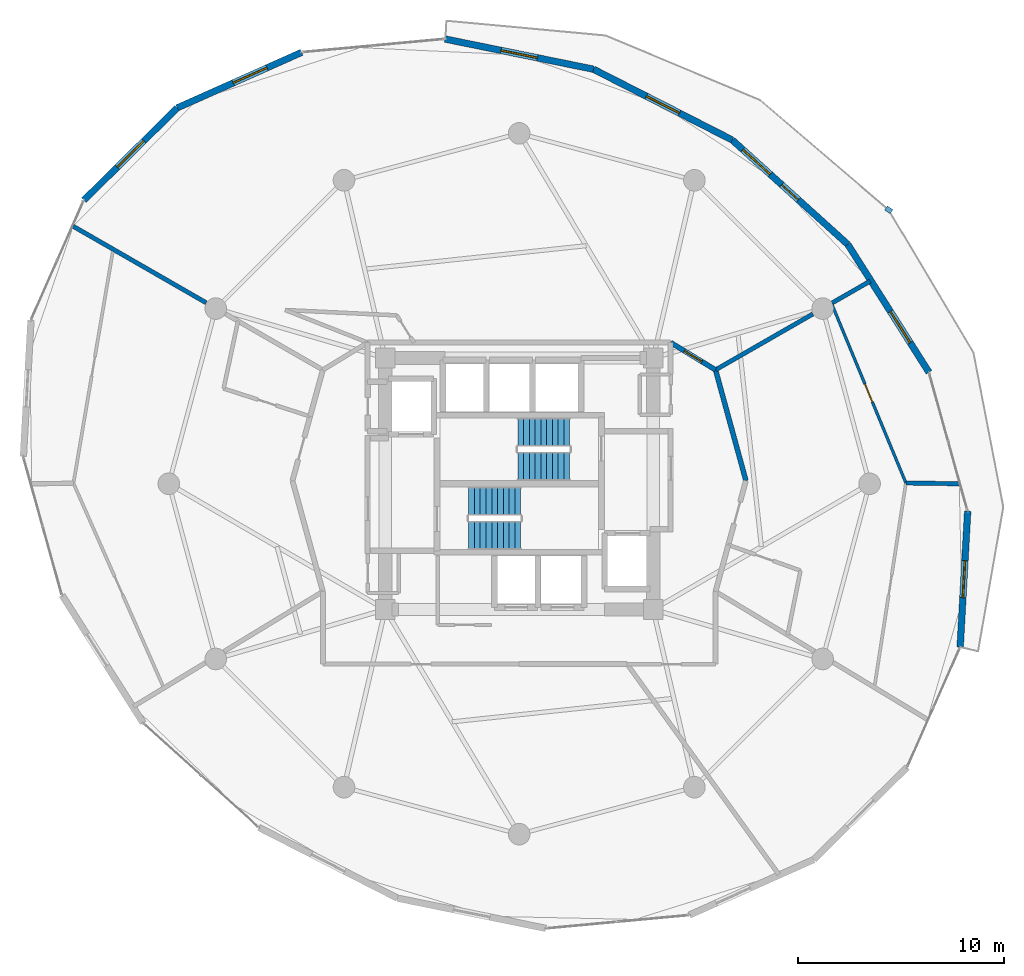
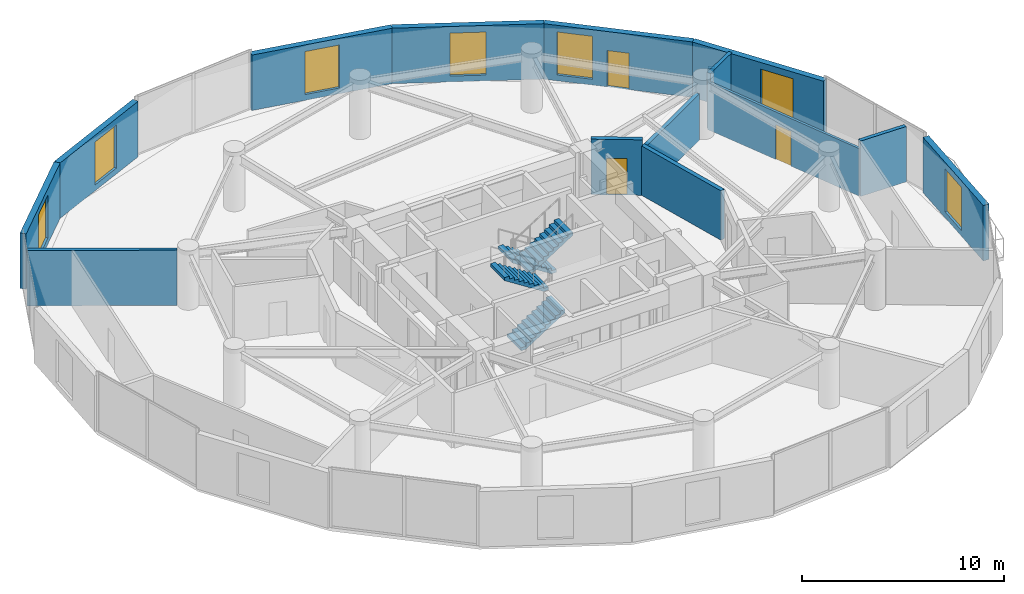
# One storey, part 22 of 25: 14 walls, 7 windows, 4 stair flights, 3 doors, 1 discrete accessory, 10 openings, 2 elements without a shape of their own.
"""IFC4 building model written with IfcOpenShell, lengths in metres."""

from ifc_helpers import new_model, si_unit, direction, frame, frame_2d, origin, origin_2d, place, context, subcontext, project, spatial, polyline, rectangle, outline, extrude, material, layer, layer_set, type_object, element, fill, aggregate, save


model = new_model("IFC4")

# Units and contexts
model_context = context("Model", 3, precision=1e-05, world=origin(), true_north=direction((0.0, 1.0)))
body_context = subcontext(model_context, "Body", "Model", "MODEL_VIEW")
ifc_project = project(units=[si_unit("LENGTHUNIT", "METRE"), si_unit("AREAUNIT", "SQUARE_METRE"), si_unit("VOLUMEUNIT", "CUBIC_METRE"), si_unit("PLANEANGLEUNIT", "RADIAN"), si_unit("MASSUNIT", "GRAM", prefix="KILO")], contexts=[model_context])

# Site, building, storey
site_placement = place(None, origin())
site = spatial("IfcSite", under=ifc_project, at=site_placement, CompositionType="ELEMENT")
building_placement = place(site_placement, origin())
building = spatial("IfcBuilding", under=site, at=building_placement, Name="Solvirekh Grand Hotel", CompositionType="ELEMENT")
storey_placement = place(building_placement, frame((0.0, 0.0, 117.0)))
storey = spatial("IfcBuildingStorey", under=building, at=storey_placement, Name="L29", CompositionType="ELEMENT", Elevation=117.0)

# Wall, opening, window
ifc_material_1 = material(Name="Precast concrete C45/55", Category="concrete")
ifc_layer_1 = layer(ifc_material_1, 0.320068359375)
ifc_layer_set_1 = layer_set([ifc_layer_1], Name="Precast concrete C45/55")
wall_type_1 = type_object("IfcWallType", Name="ExtLobbyWall_RC320", PredefinedType="SOLIDWALL", material=ifc_layer_set_1)
wall_1_placement = place(storey_placement, frame((21.759033203125, -1.326904296875, 0.0), z_axis=(0.0, 0.0, 1.0), x_axis=(-0.055339161213, -0.998467614516, 0.0)))
wall_1 = element("IfcWall", 1, at=wall_1_placement, inside=storey, type_object=wall_type_1, Name="L29 exterior structural wall chord 2", PredefinedType="SOLIDWALL", context=body_context, shape_type="SweptSolid", body=[
    extrude(rectangle(XDim=6.61328125, YDim=0.320068359375, at=frame_2d((3.306640625, 0.0))), origin(), (0.0, 0.0, 1.0), 3.35009765625),
])
opening_1_placement = place(wall_1_placement, frame((2.406982421875, 0.0, 0.35009765625)))
opening_1 = element("IfcOpeningElement", 2, at=opening_1_placement, cuts=wall_1, Name="Opening W02", PredefinedType="OPENING", context=body_context, shape_type="SweptSolid", body=[
    extrude(rectangle(XDim=1.800048828125, YDim=2.60009765625, at=frame_2d((0.89990234375, 1.300048828125))), frame((0.0, 0.169921875, 0.0), z_axis=(0.0, -1.0, 0.0), x_axis=(1.0, 0.0, 0.0)), (0.0, 0.0, 1.0), 0.340087890625),
])
ifc_material_2 = material(Name="Low-E Tinted Bronze Laminated Glass", Category="aluminium")
window_type = type_object("IfcWindowType", Name="Win_LobbyExt_1800X2600", PartitioningType="SINGLE_PANEL", PredefinedType="WINDOW", material=ifc_material_2)
window_1_placement = place(opening_1_placement, origin())
window_1 = element("IfcWindow", 3, at=window_1_placement, inside=storey, type_object=window_type, Name="L29 panoramic bronze-framed window 2", OverallHeight=2.60009765625, OverallWidth=1.800048828125, PartitioningType="SINGLE_PANEL", PredefinedType="WINDOW", context=body_context, shape_type="SweptSolid", body=[
    extrude(rectangle(XDim=1.800048828125, YDim=2.60009765625, at=frame_2d((0.89990234375, 1.300048828125))), frame((0.0, 0.030029296875, 0.0), z_axis=(0.0, -1.0, 0.0), x_axis=(1.0, 0.0, 0.0)), (0.0, 0.0, 1.0), 0.06005859375),
])
fill(opening_1, window_1)

wall_2_placement = place(storey_placement, frame((15.946044921875, 11.60888671875, 0.0), z_axis=(0.0, 0.0, 1.0), x_axis=(0.535784801187, -0.844354574108, 0.0)))
wall_2 = element("IfcWall", 4, at=wall_2_placement, inside=storey, type_object=wall_type_1, Name="L29 exterior structural wall chord 4", PredefinedType="SOLIDWALL", context=body_context, shape_type="SweptSolid", body=[
    extrude(rectangle(XDim=7.34619140625, YDim=0.320068359375, at=frame_2d((3.673095703125, 0.0))), origin(), (0.0, 0.0, 1.0), 3.35009765625),
])
opening_2_placement = place(wall_2_placement, frame((3.843994140625, 0.0, 0.35009765625)))
opening_2 = element("IfcOpeningElement", 5, at=opening_2_placement, cuts=wall_2, Name="Opening W02", PredefinedType="OPENING", context=body_context, shape_type="SweptSolid", body=[
    extrude(rectangle(XDim=1.800048828125, YDim=2.60009765625, at=frame_2d((0.89990234375, 1.300048828125))), frame((0.0, 0.169921875, 0.0), z_axis=(0.0, -1.0, 0.0), x_axis=(1.0, 0.0, 0.0)), (0.0, 0.0, 1.0), 0.340087890625),
])
window_2_placement = place(opening_2_placement, origin())
window_2 = element("IfcWindow", 6, at=window_2_placement, inside=storey, type_object=window_type, Name="L29 panoramic bronze-framed window 4", OverallHeight=2.60009765625, OverallWidth=1.800048828125, PartitioningType="SINGLE_PANEL", PredefinedType="WINDOW", context=body_context, shape_type="SweptSolid", body=[
    extrude(rectangle(XDim=1.800048828125, YDim=2.60009765625, at=frame_2d((0.89990234375, 1.300048828125))), frame((0.0, 0.030029296875, 0.0), z_axis=(0.0, -1.0, 0.0), x_axis=(1.0, 0.0, 0.0)), (0.0, 0.0, 1.0), 0.06005859375),
])
fill(opening_2, window_2)

# Wall, openings, door, window
wall_3_placement = place(storey_placement, frame((10.3369140625, 16.677001953125, 0.0), z_axis=(0.0, 0.0, 1.0), x_axis=(0.741983962176, -0.670417630939, 0.0)))
wall_3 = element("IfcWall", 7, at=wall_3_placement, inside=storey, type_object=wall_type_1, Name="L29 exterior structural wall chord 5", PredefinedType="SOLIDWALL", context=body_context, shape_type="SweptSolid", body=[
    extrude(rectangle(XDim=7.5595703125, YDim=0.320068359375, at=frame_2d((3.77978515625, 0.0))), origin(), (0.0, 0.0, 1.0), 3.35009765625),
])
opening_3_placement = place(wall_3_placement, frame((0.68994140625, 0.0, 0.35009765625)))
opening_3 = element("IfcOpeningElement", 8, at=opening_3_placement, cuts=wall_3, Name="Opening W02", PredefinedType="OPENING", context=body_context, shape_type="SweptSolid", body=[
    extrude(rectangle(XDim=1.800048828125, YDim=2.60009765625, at=frame_2d((0.89990234375, 1.300048828125))), frame((0.0, 0.169921875, 0.0), z_axis=(0.0, -1.0, 0.0), x_axis=(1.0, 0.0, 0.0)), (0.0, 0.0, 1.0), 0.340087890625),
])
opening_4_placement = place(wall_3_placement, frame((3.22998046875, 0.0, 0.0)))
opening_4 = element("IfcOpeningElement", 9, at=opening_4_placement, cuts=wall_3, Name="Opening D03", PredefinedType="OPENING", context=body_context, shape_type="SweptSolid", body=[
    extrude(rectangle(XDim=1.10009765625, YDim=2.199951171875, at=frame_2d((0.550048828125, 1.10009765625))), frame((0.0, 0.169921875, 0.0), z_axis=(0.0, -1.0, 0.0), x_axis=(1.0, 0.0, 0.0)), (0.0, 0.0, 1.0), 0.340087890625),
])
ifc_material_3 = material(Name="Anodized Bronze Aluminium 6063-T6", Category="aluminium")
door_type_1 = type_object("IfcDoorType", Name="Door_ExtBalcony_1100X2200", OperationType="NOTDEFINED", PredefinedType="DOOR", material=ifc_material_3)
door_1_placement = place(opening_4_placement, origin())
door_1 = element("IfcDoor", 10, at=door_1_placement, inside=storey, type_object=door_type_1, Name="L29 Crescent balcony glazed door (5)", OperationType="SINGLE_SWING_RIGHT", OverallHeight=2.199951171875, OverallWidth=1.10009765625, PredefinedType="DOOR", context=body_context, shape_type="SweptSolid", body=[
    extrude(rectangle(XDim=1.10009765625, YDim=2.199951171875, at=frame_2d((0.550048828125, 1.10009765625))), frame((0.0, 0.02490234375, 0.0), z_axis=(0.0, -1.0, 0.0), x_axis=(1.0, 0.0, 0.0)), (0.0, 0.0, 1.0), 0.050048828125),
])
fill(opening_4, door_1)
window_3_placement = place(opening_3_placement, origin())
window_3 = element("IfcWindow", 11, at=window_3_placement, inside=storey, type_object=window_type, Name="L29 exterior side window 5", OverallHeight=2.60009765625, OverallWidth=1.800048828125, PartitioningType="SINGLE_PANEL", PredefinedType="WINDOW", context=body_context, shape_type="SweptSolid", body=[
    extrude(rectangle(XDim=1.800048828125, YDim=2.60009765625, at=frame_2d((0.89990234375, 1.300048828125))), frame((0.0, 0.030029296875, 0.0), z_axis=(0.0, -1.0, 0.0), x_axis=(1.0, 0.0, 0.0)), (0.0, 0.0, 1.0), 0.06005859375),
])
fill(opening_3, window_3)

# Wall, opening, window
wall_4_placement = place(storey_placement, frame((3.60400390625, 20.111083984375, 0.0), z_axis=(0.0, 0.0, 1.0), x_axis=(0.890819506235, -0.454357356396, 0.0)))
wall_4 = element("IfcWall", 12, at=wall_4_placement, inside=storey, type_object=wall_type_1, Name="L29 exterior structural wall chord 6", PredefinedType="SOLIDWALL", context=body_context, shape_type="SweptSolid", body=[
    extrude(rectangle(XDim=7.55810546875, YDim=0.320068359375, at=frame_2d((3.779052734375, 0.0))), origin(), (0.0, 0.0, 1.0), 3.35009765625),
])
opening_5_placement = place(wall_4_placement, frame((2.87890625, 0.0, 0.35009765625)))
opening_5 = element("IfcOpeningElement", 13, at=opening_5_placement, cuts=wall_4, Name="Opening W02", PredefinedType="OPENING", context=body_context, shape_type="SweptSolid", body=[
    extrude(rectangle(XDim=1.800048828125, YDim=2.60009765625, at=frame_2d((0.89990234375, 1.300048828125))), frame((0.0, 0.169921875, 0.0), z_axis=(0.0, -1.0, 0.0), x_axis=(1.0, 0.0, 0.0)), (0.0, 0.0, 1.0), 0.340087890625),
])
window_4_placement = place(opening_5_placement, origin())
window_4 = element("IfcWindow", 14, at=window_4_placement, inside=storey, type_object=window_type, Name="L29 panoramic bronze-framed window 6", OverallHeight=2.60009765625, OverallWidth=1.800048828125, PartitioningType="SINGLE_PANEL", PredefinedType="WINDOW", context=body_context, shape_type="SweptSolid", body=[
    extrude(rectangle(XDim=1.800048828125, YDim=2.60009765625, at=frame_2d((0.89990234375, 1.300048828125))), frame((0.0, 0.030029296875, 0.0), z_axis=(0.0, -1.0, 0.0), x_axis=(1.0, 0.0, 0.0)), (0.0, 0.0, 1.0), 0.06005859375),
])
fill(opening_5, window_4)

wall_5_placement = place(storey_placement, frame((-3.594970703125, 21.576904296875, 0.0), z_axis=(0.0, 0.0, 1.0), x_axis=(0.979893516474, -0.199521167732, 0.0)))
wall_5 = element("IfcWall", 15, at=wall_5_placement, inside=storey, type_object=wall_type_1, Name="L29 exterior structural wall chord 7", PredefinedType="SOLIDWALL", context=body_context, shape_type="SweptSolid", body=[
    extrude(rectangle(XDim=7.3466796875, YDim=0.320068359375, at=frame_2d((3.67333984375, 0.0))), origin(), (0.0, 0.0, 1.0), 3.35009765625),
])
opening_6_placement = place(wall_5_placement, frame((2.77294921875, 0.0, 0.35009765625)))
opening_6 = element("IfcOpeningElement", 16, at=opening_6_placement, cuts=wall_5, Name="Opening W02", PredefinedType="OPENING", context=body_context, shape_type="SweptSolid", body=[
    extrude(rectangle(XDim=1.800048828125, YDim=2.60009765625, at=frame_2d((0.89990234375, 1.300048828125))), frame((0.0, 0.169921875, 0.0), z_axis=(0.0, -1.0, 0.0), x_axis=(1.0, 0.0, 0.0)), (0.0, 0.0, 1.0), 0.340087890625),
])
window_5_placement = place(opening_6_placement, origin())
window_5 = element("IfcWindow", 17, at=window_5_placement, inside=storey, type_object=window_type, Name="L29 panoramic bronze-framed window 7", OverallHeight=2.60009765625, OverallWidth=1.800048828125, PartitioningType="SINGLE_PANEL", PredefinedType="WINDOW", context=body_context, shape_type="SweptSolid", body=[
    extrude(rectangle(XDim=1.800048828125, YDim=2.60009765625, at=frame_2d((0.89990234375, 1.300048828125))), frame((0.0, 0.030029296875, 0.0), z_axis=(0.0, -1.0, 0.0), x_axis=(1.0, 0.0, 0.0)), (0.0, 0.0, 1.0), 0.06005859375),
])
fill(opening_6, window_5)

wall_6_placement = place(storey_placement, frame((-16.593017578125, 18.236083984375, 0.0), z_axis=(0.0, 0.0, 1.0), x_axis=(0.913180092106, 0.407556277562, 0.0)))
wall_6 = element("IfcWall", 18, at=wall_6_placement, inside=storey, type_object=wall_type_1, Name="L29 exterior structural wall chord 9", PredefinedType="SOLIDWALL", context=body_context, shape_type="SweptSolid", body=[
    extrude(rectangle(XDim=6.612060546875, YDim=0.320068359375, at=frame_2d((3.30615234375, 0.0))), origin(), (0.0, 0.0, 1.0), 3.35009765625),
])
opening_7_placement = place(wall_6_placement, frame((2.97607421875, 0.0, 0.35009765625)))
opening_7 = element("IfcOpeningElement", 19, at=opening_7_placement, cuts=wall_6, Name="Opening W02", PredefinedType="OPENING", context=body_context, shape_type="SweptSolid", body=[
    extrude(rectangle(XDim=1.800048828125, YDim=2.60009765625, at=frame_2d((0.89990234375, 1.300048828125))), frame((0.0, 0.169921875, 0.0), z_axis=(0.0, -1.0, 0.0), x_axis=(1.0, 0.0, 0.0)), (0.0, 0.0, 1.0), 0.340087890625),
])
window_6_placement = place(opening_7_placement, origin())
window_6 = element("IfcWindow", 20, at=window_6_placement, inside=storey, type_object=window_type, Name="L29 panoramic bronze-framed window 9", OverallHeight=2.60009765625, OverallWidth=1.800048828125, PartitioningType="SINGLE_PANEL", PredefinedType="WINDOW", context=body_context, shape_type="SweptSolid", body=[
    extrude(rectangle(XDim=1.800048828125, YDim=2.60009765625, at=frame_2d((0.89990234375, 1.300048828125))), frame((0.0, 0.030029296875, 0.0), z_axis=(0.0, -1.0, 0.0), x_axis=(1.0, 0.0, 0.0)), (0.0, 0.0, 1.0), 0.06005859375),
])
fill(opening_7, window_6)

wall_7_placement = place(storey_placement, frame((-21.12109375, 13.756103515625, 0.0), z_axis=(0.0, 0.0, 1.0), x_axis=(0.710872024536, 0.703321380829, 0.0)))
wall_7 = element("IfcWall", 21, at=wall_7_placement, inside=storey, type_object=wall_type_1, Name="L29 exterior structural wall chord 10", PredefinedType="SOLIDWALL", context=body_context, shape_type="SweptSolid", body=[
    extrude(rectangle(XDim=6.36962890625, YDim=0.320068359375, at=frame_2d((3.184814453125, 0.0))), origin(), (0.0, 0.0, 1.0), 3.35009765625),
])
opening_8_placement = place(wall_7_placement, frame((2.284912109375, 0.0, 0.35009765625)))
opening_8 = element("IfcOpeningElement", 22, at=opening_8_placement, cuts=wall_7, Name="Opening W02", PredefinedType="OPENING", context=body_context, shape_type="SweptSolid", body=[
    extrude(rectangle(XDim=1.800048828125, YDim=2.60009765625, at=frame_2d((0.89990234375, 1.300048828125))), frame((0.0, 0.169921875, 0.0), z_axis=(0.0, -1.0, 0.0), x_axis=(1.0, 0.0, 0.0)), (0.0, 0.0, 1.0), 0.340087890625),
])
window_7_placement = place(opening_8_placement, origin())
window_7 = element("IfcWindow", 23, at=window_7_placement, inside=storey, type_object=window_type, Name="L29 panoramic bronze-framed window 10", OverallHeight=2.60009765625, OverallWidth=1.800048828125, PartitioningType="SINGLE_PANEL", PredefinedType="WINDOW", context=body_context, shape_type="SweptSolid", body=[
    extrude(rectangle(XDim=1.800048828125, YDim=2.60009765625, at=frame_2d((0.89990234375, 1.300048828125))), frame((0.0, 0.030029296875, 0.0), z_axis=(0.0, -1.0, 0.0), x_axis=(1.0, 0.0, 0.0)), (0.0, 0.0, 1.0), 0.06005859375),
])
fill(opening_8, window_7)

# Wall, opening, door
ifc_material_4 = material(Name="Acoustic Gypsum Partition Assembly")
ifc_layer_2 = layer(ifc_material_4, 0.239990234375)
ifc_layer_set_2 = layer_set([ifc_layer_2], Name="Acoustic Gypsum Partition Assembly")
wall_type_2 = type_object("IfcWallType", Name="Part_Corridor_240", PredefinedType="PARTITIONING", material=ifc_layer_set_2)
wall_8_placement = place(storey_placement, frame((7.35009765625, 6.85009765625, 0.0), z_axis=(0.0, 0.0, 1.0), x_axis=(0.854057882133, -0.520177982969, 0.0)))
wall_8 = element("IfcWall", 24, at=wall_8_placement, inside=storey, type_object=wall_type_2, Name="L29 Panorama Suite 3101 entrance wall", PredefinedType="PARTITIONING", context=body_context, shape_type="SweptSolid", body=[
    extrude(rectangle(XDim=2.547607421875, YDim=0.239990234375, at=frame_2d((1.27392578125, 0.0))), origin(), (0.0, 0.0, 1.0), 3.35009765625),
])
opening_9_placement = place(wall_8_placement, frame((0.77392578125, 0.0, 0.0)))
opening_9 = element("IfcOpeningElement", 25, at=opening_9_placement, cuts=wall_8, Name="Opening D07", PredefinedType="OPENING", context=body_context, shape_type="SweptSolid", body=[
    extrude(rectangle(XDim=1.0, YDim=2.199951171875, at=frame_2d((0.5, 1.10009765625))), frame((0.0, 0.1298828125, 0.0), z_axis=(0.0, -1.0, 0.0), x_axis=(1.0, 0.0, 0.0)), (0.0, 0.0, 1.0), 0.260009765625),
])
ifc_material_5 = material(Name="Fire-Rated Steel Door Assembly", Category="steel")
door_type_2 = type_object("IfcDoorType", Name="Door_GuestEntry_1000X2200", OperationType="NOTDEFINED", PredefinedType="DOOR", material=ifc_material_5)
door_2_placement = place(opening_9_placement, origin())
door_2 = element("IfcDoor", 26, at=door_2_placement, inside=storey, type_object=door_type_2, Name="L29 Panorama Suite 3101 entrance door", OperationType="SINGLE_SWING_LEFT", OverallHeight=2.199951171875, OverallWidth=1.0, PredefinedType="DOOR", context=body_context, shape_type="SweptSolid", body=[
    extrude(rectangle(XDim=1.0, YDim=2.199951171875, at=frame_2d((0.5, 1.10009765625))), frame((0.0, 0.02490234375, 0.0), z_axis=(0.0, -1.0, 0.0), x_axis=(1.0, 0.0, 0.0)), (0.0, 0.0, 1.0), 0.050048828125),
])
fill(opening_9, door_2)

# Wall
wall_9_placement = place(storey_placement, frame((11.0, 0.14990234375, 0.0), z_axis=(0.0, 0.0, 1.0), x_axis=(-0.264488542062, 0.964388827765, 0.0)))
element("IfcWall", 27, at=wall_9_placement, inside=storey, type_object=wall_type_2, Name="L29 Executive Suite 3103 Living Room corridor wall 1", PredefinedType="PARTITIONING", context=body_context, shape_type="SweptSolid", body=[
    extrude(rectangle(XDim=5.573486328125, YDim=0.239990234375, at=frame_2d((2.78662109375, 0.0))), origin(), (0.0, 0.0, 1.0), 2.985107421875),
])

# Wall, opening, door
ifc_layer_3 = layer(ifc_material_4, 0.135009765625)
ifc_layer_set_3 = layer_set([ifc_layer_3], Name="Acoustic Gypsum Partition Assembly")
wall_type_3 = type_object("IfcWallType", Name="Part_RoomInt_135", PredefinedType="PARTITIONING", material=ifc_layer_set_3)
wall_10_placement = place(storey_placement, frame((18.761962890625, 0.0380859375, 0.0), z_axis=(0.0, 0.0, 1.0), x_axis=(-0.382615379706, 0.923907717909, 0.0)))
wall_10 = element("IfcWall", 28, at=wall_10_placement, inside=storey, type_object=wall_type_3, Name="L29 Executive Suite 3103 Panorama Suite Study bedroom screen wall", PredefinedType="PARTITIONING", context=body_context, shape_type="SweptSolid", body=[
    extrude(rectangle(XDim=9.434814453125, YDim=0.135009765625, at=frame_2d((4.71728515625, 0.0))), origin(), (0.0, 0.0, 1.0), 2.876953125),
])
opening_10_placement = place(wall_10_placement, frame((4.241943359375, 0.0, 0.0)))
opening_10 = element("IfcOpeningElement", 29, at=opening_10_placement, cuts=wall_10, Name="Opening D10", PredefinedType="OPENING", context=body_context, shape_type="SweptSolid", body=[
    extrude(rectangle(XDim=0.949951171875, YDim=2.10009765625, at=frame_2d((0.47509765625, 1.050048828125))), frame((0.0, 0.07763671875, 0.0), z_axis=(0.0, -1.0, 0.0), x_axis=(1.0, 0.0, 0.0)), (0.0, 0.0, 1.0), 0.155029296875),
])
door_type_3 = type_object("IfcDoorType", Name="Door_RoomInt_950X2100", OperationType="NOTDEFINED", PredefinedType="DOOR", material=ifc_material_3)
door_3_placement = place(opening_10_placement, origin())
door_3 = element("IfcDoor", 30, at=door_3_placement, inside=storey, type_object=door_type_3, Name="L29 Executive Suite 3103 Panorama Suite Study master bedroom door", OperationType="SINGLE_SWING_LEFT", OverallHeight=2.10009765625, OverallWidth=0.949951171875, PredefinedType="DOOR", context=body_context, shape_type="SweptSolid", body=[
    extrude(rectangle(XDim=0.949951171875, YDim=2.10009765625, at=frame_2d((0.47509765625, 1.050048828125))), frame((0.0, 0.02490234375, 0.0), z_axis=(0.0, -1.0, 0.0), x_axis=(1.0, 0.0, 0.0)), (0.0, 0.0, 1.0), 0.050048828125),
])
fill(opening_10, door_3)

# Walls
ifc_layer_4 = layer(ifc_material_4, 0.2099609375)
ifc_layer_set_4 = layer_set([ifc_layer_4], Name="Acoustic Gypsum Partition Assembly")
wall_type_4 = type_object("IfcWallType", Name="Part_SuiteDemise_210", PredefinedType="PARTITIONING", material=ifc_layer_set_4)
wall_11_placement = place(storey_placement, frame((9.52587890625, 5.52490234375, 0.0), z_axis=(0.0, 0.0, 1.0), x_axis=(0.867217229482, 0.497929991956, 0.0)))
element("IfcWall", 31, at=wall_11_placement, inside=storey, type_object=wall_type_4, Name="L29 suite radial wall 2 (A)", PredefinedType="PARTITIONING", context=body_context, shape_type="SweptSolid", body=[
    extrude(rectangle(XDim=5.44287109375, YDim=0.2099609375, at=frame_2d((2.721435546875, 0.0))), origin(), (0.0, 0.0, 1.0), 2.791015625),
])
wall_12_placement = place(storey_placement, frame((15.19091796875, 8.777099609375, 0.0), z_axis=(0.0, 0.0, 1.0), x_axis=(0.86728352265, 0.497814514995, 0.0)))
element("IfcWall", 32, at=wall_12_placement, inside=storey, type_object=wall_type_4, Name="L29 suite radial wall 2 (B)", PredefinedType="PARTITIONING", context=body_context, shape_type="SweptSolid", body=[
    extrude(rectangle(XDim=2.1171875, YDim=0.2099609375, at=frame_2d((1.05859375, 0.0))), origin(), (0.0, 0.0, 1.0), 3.35009765625),
])
wall_13_placement = place(storey_placement, frame((-15.18798828125, 8.781982421875, 0.0), z_axis=(0.0, 0.0, 1.0), x_axis=(-0.86682580489, 0.498611094919, 0.0)))
element("IfcWall", 33, at=wall_13_placement, inside=storey, type_object=wall_type_4, Name="L29 suite radial wall 6 (B)", PredefinedType="PARTITIONING", context=body_context, shape_type="SweptSolid", body=[
    extrude(rectangle(XDim=7.438720703125, YDim=0.2099609375, at=frame_2d((3.71923828125, 0.0))), origin(), (0.0, 0.0, 1.0), 3.35009765625),
])
wall_14_placement = place(storey_placement, frame((18.761962890625, 0.0380859375, 0.0), z_axis=(0.0, 0.0, 1.0), x_axis=(0.999891661517, -0.014719552628, 0.0)))
element("IfcWall", 34, at=wall_14_placement, inside=storey, type_object=wall_type_4, Name="L29 Executive Suite 3103 Living Room dividing partition 1", PredefinedType="PARTITIONING", context=body_context, shape_type="SweptSolid", body=[
    extrude(rectangle(XDim=2.58740234375, YDim=0.2099609375, at=frame_2d((1.293701171875, 0.0))), origin(), (0.0, 0.0, 1.0), 3.35009765625),
])

# Stair, stair flights
ifc_material_6 = material(Name="Concrete C40/50", Category="concrete")
stair_type = type_object("IfcStairType", Name="Stair_Core_1450", PredefinedType="HALF_TURN_STAIR", material=ifc_material_6)
stair_1_placement = place(storey_placement, origin())
stair_1 = element("IfcStair", 35, at=stair_1_placement, inside=storey, type_object=stair_type, Name="L29 Enclosed exit stair ST-1", PredefinedType="HALF_TURN_STAIR")
stair_flight_type = type_object("IfcStairFlightType", Name="Flight_Core_1450", PredefinedType="STRAIGHT", material=ifc_material_6)
stair_flight_1_placement = place(storey_placement, frame((-2.449951171875, -2.5, 0.0), z_axis=(0.0, 0.0, 1.0), x_axis=(1.0, 0.0, 0.0)))
stair_flight_1 = element("IfcStairFlight", 36, at=stair_flight_1_placement, type_object=stair_flight_type, Name="ST-1 flight 1", NumberOfRisers=10, NumberOfTreads=9, PredefinedType="STRAIGHT", RiserHeight=0.18, TreadLength=0.28, context=body_context, shape_type="SweptSolid", body=[
    extrude(outline(polyline([(0.0, 0.0), (0.0, 0.179931640625), (0.280029296875, 0.179931640625), (0.280029296875, 0.360107421875), (0.56005859375, 0.360107421875), (0.56005859375, 0.5400390625), (0.840087890625, 0.5400390625), (0.840087890625, 0.719970703125), (1.1201171875, 0.719970703125), (1.1201171875, 0.89990234375), (1.39990234375, 0.89990234375), (1.39990234375, 1.080078125), (1.679931640625, 1.080078125), (1.679931640625, 1.260009765625), (1.9599609375, 1.260009765625), (1.9599609375, 1.43994140625), (2.239990234375, 1.43994140625), (2.239990234375, 1.6201171875), (2.52001953125, 1.6201171875), (2.52001953125, 1.800048828125), (2.52001953125, 1.44189453125), (0.277099609375, 0.0), (0.0, 0.0)])), frame((0.0, 0.699951171875, 0.0), z_axis=(0.0, -1.0, 0.0), x_axis=(1.0, 0.0, 0.0)), (0.0, 0.0, 1.0), 1.39990234375),
])
stair_flight_2_placement = place(storey_placement, frame((0.070068359375, -0.85009765625, 1.800048828125), z_axis=(0.0, 0.0, 1.0), x_axis=(-1.0, 0.0, 0.0)))
stair_flight_2 = element("IfcStairFlight", 37, at=stair_flight_2_placement, type_object=stair_flight_type, Name="ST-1 flight 2", NumberOfRisers=10, NumberOfTreads=9, PredefinedType="STRAIGHT", RiserHeight=0.18, TreadLength=0.28, context=body_context, shape_type="SweptSolid", body=[
    extrude(outline(polyline([(0.0, 0.0), (0.0, 0.179931640625), (0.280029296875, 0.179931640625), (0.280029296875, 0.360107421875), (0.56005859375, 0.360107421875), (0.56005859375, 0.5400390625), (0.840087890625, 0.5400390625), (0.840087890625, 0.719970703125), (1.1201171875, 0.719970703125), (1.1201171875, 0.89990234375), (1.39990234375, 0.89990234375), (1.39990234375, 1.080078125), (1.679931640625, 1.080078125), (1.679931640625, 1.260009765625), (1.9599609375, 1.260009765625), (1.9599609375, 1.43994140625), (2.239990234375, 1.43994140625), (2.239990234375, 1.6201171875), (2.52001953125, 1.6201171875), (2.52001953125, 1.800048828125), (2.52001953125, 1.44189453125), (0.277099609375, 0.0), (0.0, 0.0)])), frame((0.0, 0.699951171875, 0.0), z_axis=(0.0, -1.0, 0.0), x_axis=(1.0, 0.0, 0.0)), (0.0, 0.0, 1.0), 1.39990234375),
])
aggregate(stair_1, [stair_flight_1, stair_flight_2])

stair_2_placement = place(storey_placement, origin())
stair_2 = element("IfcStair", 38, at=stair_2_placement, inside=storey, type_object=stair_type, Name="L29 Enclosed exit stair ST-2", PredefinedType="HALF_TURN_STAIR")
stair_flight_3_placement = place(storey_placement, frame((2.449951171875, 2.5, 0.0), z_axis=(0.0, 0.0, 1.0), x_axis=(-1.0, 0.0, 0.0)))
stair_flight_3 = element("IfcStairFlight", 39, at=stair_flight_3_placement, type_object=stair_flight_type, Name="ST-2 flight 1", NumberOfRisers=10, NumberOfTreads=9, PredefinedType="STRAIGHT", RiserHeight=0.18, TreadLength=0.28, context=body_context, shape_type="SweptSolid", body=[
    extrude(outline(polyline([(0.0, 0.0), (0.0, 0.179931640625), (0.280029296875, 0.179931640625), (0.280029296875, 0.360107421875), (0.56005859375, 0.360107421875), (0.56005859375, 0.5400390625), (0.840087890625, 0.5400390625), (0.840087890625, 0.719970703125), (1.1201171875, 0.719970703125), (1.1201171875, 0.89990234375), (1.39990234375, 0.89990234375), (1.39990234375, 1.080078125), (1.679931640625, 1.080078125), (1.679931640625, 1.260009765625), (1.9599609375, 1.260009765625), (1.9599609375, 1.43994140625), (2.239990234375, 1.43994140625), (2.239990234375, 1.6201171875), (2.52001953125, 1.6201171875), (2.52001953125, 1.800048828125), (2.52001953125, 1.44189453125), (0.277099609375, 0.0), (0.0, 0.0)])), frame((0.0, 0.699951171875, 0.0), z_axis=(0.0, -1.0, 0.0), x_axis=(1.0, 0.0, 0.0)), (0.0, 0.0, 1.0), 1.39990234375),
])
stair_flight_4_placement = place(storey_placement, frame((-0.070068359375, 0.85009765625, 1.800048828125), z_axis=(0.0, 0.0, 1.0), x_axis=(1.0, 0.0, 0.0)))
stair_flight_4 = element("IfcStairFlight", 40, at=stair_flight_4_placement, type_object=stair_flight_type, Name="ST-2 flight 2", NumberOfRisers=10, NumberOfTreads=9, PredefinedType="STRAIGHT", RiserHeight=0.18, TreadLength=0.28, context=body_context, shape_type="SweptSolid", body=[
    extrude(outline(polyline([(0.0, 0.0), (0.0, 0.179931640625), (0.280029296875, 0.179931640625), (0.280029296875, 0.360107421875), (0.56005859375, 0.360107421875), (0.56005859375, 0.5400390625), (0.840087890625, 0.5400390625), (0.840087890625, 0.719970703125), (1.1201171875, 0.719970703125), (1.1201171875, 0.89990234375), (1.39990234375, 0.89990234375), (1.39990234375, 1.080078125), (1.679931640625, 1.080078125), (1.679931640625, 1.260009765625), (1.9599609375, 1.260009765625), (1.9599609375, 1.43994140625), (2.239990234375, 1.43994140625), (2.239990234375, 1.6201171875), (2.52001953125, 1.6201171875), (2.52001953125, 1.800048828125), (2.52001953125, 1.44189453125), (0.277099609375, 0.0), (0.0, 0.0)])), frame((0.0, 0.699951171875, 0.0), z_axis=(0.0, -1.0, 0.0), x_axis=(1.0, 0.0, 0.0)), (0.0, 0.0, 1.0), 1.39990234375),
])
aggregate(stair_2, [stair_flight_3, stair_flight_4])

# Discrete accessory
ifc_material_7 = material(Name="Steel S355", Category="steel")
discrete_accessory_type = type_object("IfcDiscreteAccessoryType", Name="Acc_ThermalBracket", PredefinedType="BRACKET", material=ifc_material_7)
discrete_accessory_placement = place(storey_placement, frame((17.929931640625, 13.2900390625, -0.27978515625), z_axis=(0.0, 0.0, 1.0), x_axis=(0.823136368534, -0.567843745053, 0.0)))
element("IfcDiscreteAccessory", 41, at=discrete_accessory_placement, inside=storey, type_object=discrete_accessory_type, Name="L29 balcony thermal-break bracket", PredefinedType="BRACKET", context=body_context, shape_type="SweptSolid", body=[
    extrude(rectangle(XDim=0.320068359375, YDim=0.239990234375, at=origin_2d()), origin(), (0.0, 0.0, 1.0), 0.280029296875),
])

save(model, "model.ifc")
